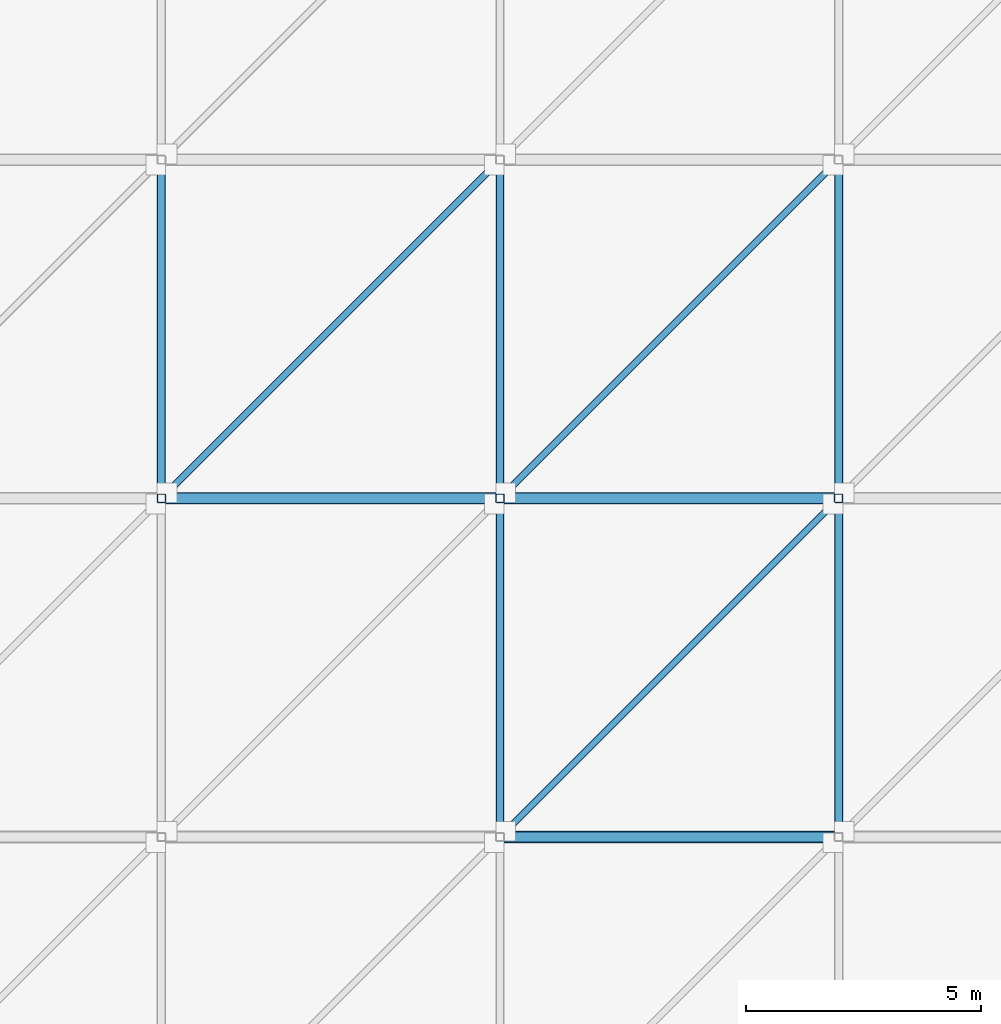
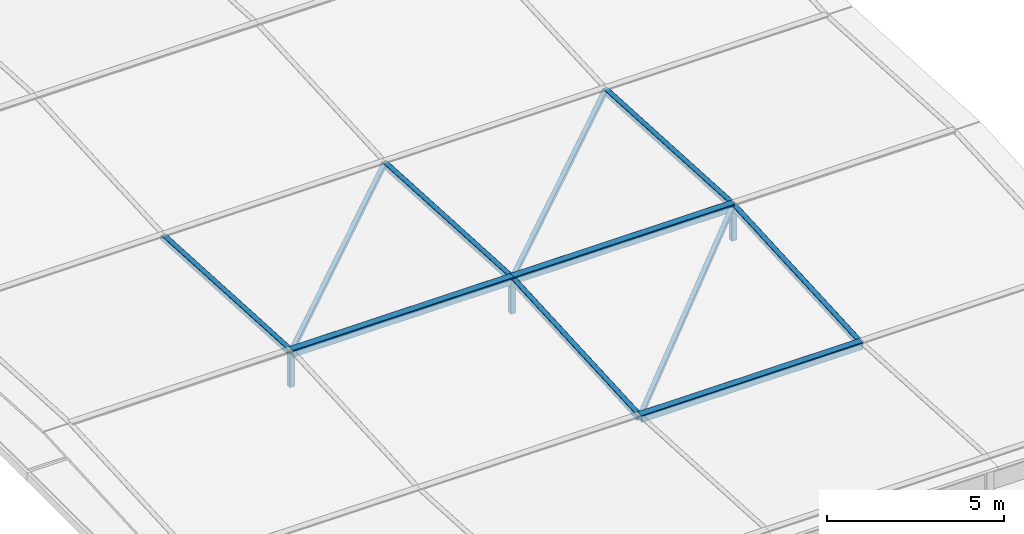
# One storey, part 3 of 15: 14 members.
"""IFC4 building model written with IfcOpenShell, lengths in metres."""

from ifc_helpers import new_model, si_unit, direction, frame, origin, origin_2d, place, context, subcontext, project, spatial, hollow_rectangle, extrude, material, material_profile, profile_set, type_object, element, save


model = new_model("IFC4")

# Units and contexts
model_context = context("Model", 3, precision=1e-05, world=origin(), true_north=direction((0.0, 1.0)))
body_context = subcontext(model_context, "Body", "Model", "MODEL_VIEW")
ifc_project = project(units=[si_unit("LENGTHUNIT", "METRE"), si_unit("AREAUNIT", "SQUARE_METRE"), si_unit("VOLUMEUNIT", "CUBIC_METRE"), si_unit("PLANEANGLEUNIT", "RADIAN"), si_unit("MASSUNIT", "GRAM", prefix="KILO")], contexts=[model_context])

# Site, building, storey
site_placement = place(None, origin())
site = spatial("IfcSite", under=ifc_project, at=site_placement, CompositionType="ELEMENT")
building_placement = place(site_placement, origin())
building = spatial("IfcBuilding", under=site, at=building_placement, Name="Kavelor Marine Aquarium", CompositionType="ELEMENT")
storey_placement = place(building_placement, frame((0.0, 0.0, 25.56005859375)))
storey = spatial("IfcBuildingStorey", under=building, at=storey_placement, Name="RF", CompositionType="ELEMENT", Elevation=25.56005859375)

# Members
ifc_material_1 = material(Name="Steel S355", Category="steel")
ifc_material_profile_1 = material_profile(ifc_material_1, hollow_rectangle(XDim=0.25, YDim=0.25, WallThickness=0.010009765625, InnerFilletRadius=0.014892578125, OuterFilletRadius=0.02490234375, at=origin_2d()), Name="SHS 250x250x10.0")
ifc_profile_set_1 = profile_set([ifc_material_profile_1], Name="Steel S355")
member_type_1 = type_object("IfcMemberType", Name="ST-PV1", PredefinedType="CHORD", material=ifc_profile_set_1)
for number, where, z_axis, x_axis, name in (
    (1, (125.60009765625, 82.0, 1.14990234375), (1.0, 0.0, 0.0), (0.0, 1.0, 0.0), "pv:x1:17_11"),
    (2, (132.800048828125, 74.800048828125, 0.75), (1.0, 0.0, 0.0), (0.0, 1.0, 0.0), "pv:x1:18_10"),
    (3, (132.800048828125, 82.0, 1.14990234375), (1.0, 0.0, 0.0), (0.0, 1.0, 0.0), "pv:x1:18_11"),
):
    element("IfcMember", number, at=place(storey_placement, frame(where, z_axis=z_axis, x_axis=x_axis)), inside=storey, type_object=member_type_1, Name=name, PredefinedType="CHORD", context=body_context, shape_type="SweptSolid", body=[
        extrude(hollow_rectangle(XDim=0.25, YDim=0.25, WallThickness=0.010009765625, InnerFilletRadius=0.014892578125, OuterFilletRadius=0.02490234375, at=origin_2d()), origin(), (0.0, 0.0, 1.0), 7.199951171875),
    ])
ifc_material_2 = material(Name="Steel S355", Category="steel")
ifc_material_profile_2 = material_profile(ifc_material_2, hollow_rectangle(XDim=0.179931640625, YDim=0.179931640625, WallThickness=0.008056640625, InnerFilletRadius=0.011962890625, OuterFilletRadius=0.02001953125, at=origin_2d()), Name="SHS 180x180x8.0")
ifc_profile_set_2 = profile_set([ifc_material_profile_2], Name="Steel S355")
member_type_2 = type_object("IfcMemberType", Name="ST-PV2", PredefinedType="CHORD", material=ifc_profile_set_2)
member_1_placement = place(storey_placement, frame((125.60009765625, 82.0, 0.0), z_axis=(0.0, 0.0, 1.0), x_axis=(1.0, 0.0, 0.0)))
element("IfcMember", 4, at=member_1_placement, inside=storey, type_object=member_type_2, Name="pv:p:17_11", PredefinedType="CHORD", context=body_context, shape_type="SweptSolid", body=[
    extrude(hollow_rectangle(XDim=0.179931640625, YDim=0.179931640625, WallThickness=0.008056640625, InnerFilletRadius=0.011962890625, OuterFilletRadius=0.02001953125, at=origin_2d()), origin(), (0.0, 0.0, 1.0), 1.14990234375),
])
member_2_placement = place(storey_placement, frame((125.60009765625, 82.0, 1.14990234375), z_axis=(0.0, 0.998461082335, -0.055456893726), x_axis=(-1.0, 0.0, 0.0)))
element("IfcMember", 5, at=member_2_placement, inside=storey, type_object=member_type_2, Name="pv:r2:16_11", PredefinedType="CHORD", context=body_context, shape_type="SweptSolid", body=[
    extrude(hollow_rectangle(XDim=0.179931640625, YDim=0.179931640625, WallThickness=0.008056640625, InnerFilletRadius=0.011962890625, OuterFilletRadius=0.02001953125, at=origin_2d()), origin(), (0.0, 0.0, 1.0), 7.2109375),
])
member_3_placement = place(storey_placement, frame((132.800048828125, 82.0, 0.0), z_axis=(0.0, 0.0, 1.0), x_axis=(1.0, 0.0, 0.0)))
element("IfcMember", 6, at=member_3_placement, inside=storey, type_object=member_type_2, Name="pv:p:18_11", PredefinedType="CHORD", context=body_context, shape_type="SweptSolid", body=[
    extrude(hollow_rectangle(XDim=0.179931640625, YDim=0.179931640625, WallThickness=0.008056640625, InnerFilletRadius=0.011962890625, OuterFilletRadius=0.02001953125, at=origin_2d()), origin(), (0.0, 0.0, 1.0), 1.14990234375),
])
for number, where, z_axis, x_axis, name in (
    (7, (132.800048828125, 74.800048828125, 0.75), (0.0, 0.998461082335, 0.055456893726), (-1.0, 0.0, 0.0), "pv:r2:17_10"),
    (8, (132.800048828125, 82.0, 1.14990234375), (0.0, 0.998461082335, -0.055456893726), (-1.0, 0.0, 0.0), "pv:r2:17_11"),
):
    element("IfcMember", number, at=place(storey_placement, frame(where, z_axis=z_axis, x_axis=x_axis)), inside=storey, type_object=member_type_2, Name=name, PredefinedType="CHORD", context=body_context, shape_type="SweptSolid", body=[
        extrude(hollow_rectangle(XDim=0.179931640625, YDim=0.179931640625, WallThickness=0.008056640625, InnerFilletRadius=0.011962890625, OuterFilletRadius=0.02001953125, at=origin_2d()), origin(), (0.0, 0.0, 1.0), 7.2109375),
    ])
member_4_placement = place(storey_placement, frame((140.0, 82.0, 0.0), z_axis=(0.0, 0.0, 1.0), x_axis=(1.0, 0.0, 0.0)))
element("IfcMember", 9, at=member_4_placement, inside=storey, type_object=member_type_2, Name="pv:p:19_11", PredefinedType="CHORD", context=body_context, shape_type="SweptSolid", body=[
    extrude(hollow_rectangle(XDim=0.179931640625, YDim=0.179931640625, WallThickness=0.008056640625, InnerFilletRadius=0.011962890625, OuterFilletRadius=0.02001953125, at=origin_2d()), origin(), (0.0, 0.0, 1.0), 1.14990234375),
])
for number, where, z_axis, x_axis, name in (
    (10, (140.0, 74.800048828125, 0.75), (0.0, 0.998461082335, 0.055456893726), (-1.0, 0.0, 0.0), "pv:r2:18_10"),
    (11, (140.0, 82.0, 1.14990234375), (0.0, 0.998461082335, -0.055456893726), (-1.0, 0.0, 0.0), "pv:r2:18_11"),
):
    element("IfcMember", number, at=place(storey_placement, frame(where, z_axis=z_axis, x_axis=x_axis)), inside=storey, type_object=member_type_2, Name=name, PredefinedType="CHORD", context=body_context, shape_type="SweptSolid", body=[
        extrude(hollow_rectangle(XDim=0.179931640625, YDim=0.179931640625, WallThickness=0.008056640625, InnerFilletRadius=0.011962890625, OuterFilletRadius=0.02001953125, at=origin_2d()), origin(), (0.0, 0.0, 1.0), 7.2109375),
    ])
ifc_material_3 = material(Name="Steel S355", Category="steel")
ifc_material_profile_3 = material_profile(ifc_material_3, hollow_rectangle(XDim=0.14990234375, YDim=0.14990234375, WallThickness=0.00634765625, InnerFilletRadius=0.009521484375, OuterFilletRadius=0.015869140625, at=origin_2d()), Name="SHS 150x150x6.3")
ifc_profile_set_3 = profile_set([ifc_material_profile_3], Name="Steel S355")
member_type_3 = type_object("IfcMemberType", Name="ST-PV3", PredefinedType="BRACE", material=ifc_profile_set_3)
for number, where, z_axis, x_axis, name in (
    (12, (125.60009765625, 82.0, 1.14990234375), (0.706562063163, 0.706562063163, -0.039244130733), (-0.707106781187, 0.707106781187, 0.0), "pv:br:17_11"),
    (13, (132.800048828125, 74.800048828125, 0.75), (0.706562063163, 0.706562063163, 0.039244130733), (-0.707106781187, 0.707106781187, 0.0), "pv:br:18_10"),
    (14, (132.800048828125, 82.0, 1.14990234375), (0.706562063163, 0.706562063163, -0.039244130733), (-0.707106781187, 0.707106781187, 0.0), "pv:br:18_11"),
):
    element("IfcMember", number, at=place(storey_placement, frame(where, z_axis=z_axis, x_axis=x_axis)), inside=storey, type_object=member_type_3, Name=name, PredefinedType="BRACE", context=body_context, shape_type="SweptSolid", body=[
        extrude(hollow_rectangle(XDim=0.14990234375, YDim=0.14990234375, WallThickness=0.00634765625, InnerFilletRadius=0.009521484375, OuterFilletRadius=0.015869140625, at=origin_2d()), origin(), (0.0, 0.0, 1.0), 10.190185546875),
    ])

save(model, "model.ifc")
